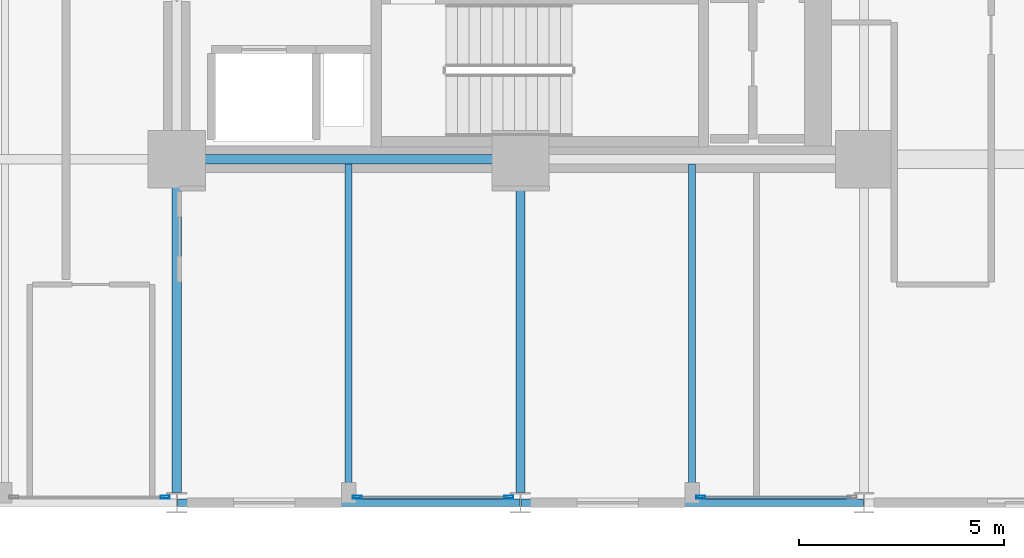
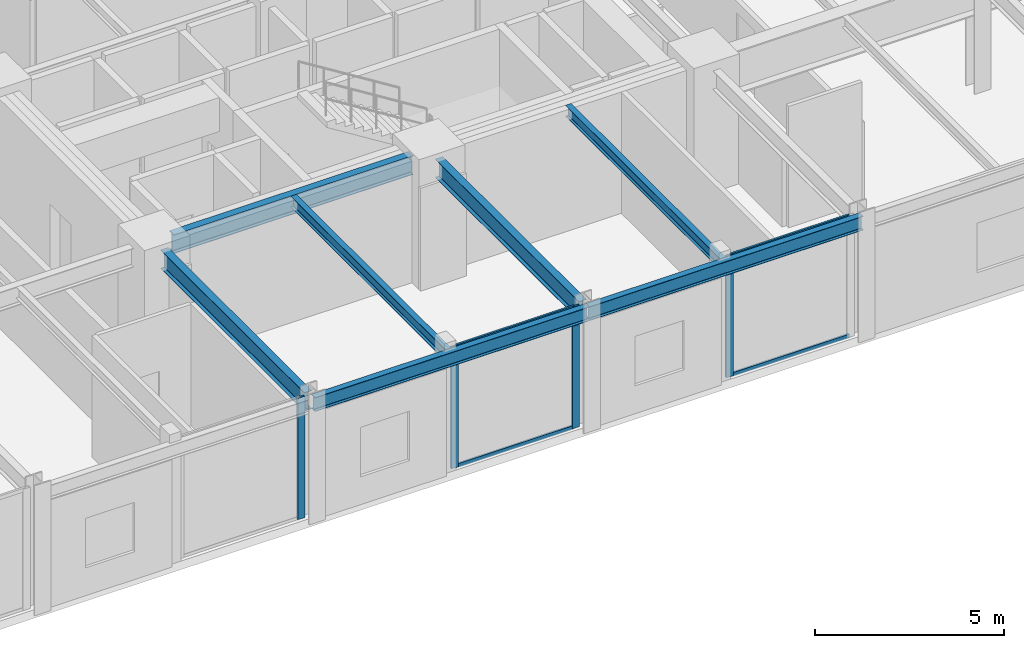
# One storey, part 4 of 25: 8 members, 7 beams, 3 elements without a shape of their own.
"""IFC4 building model written with IfcOpenShell, lengths in metres."""

from ifc_helpers import new_model, si_unit, direction, frame, origin, origin_2d, place, context, subcontext, project, spatial, hollow_rectangle, i_section, extrude, material, layer, layer_set, material_profile, profile_set, type_object, element, aggregate, save


model = new_model("IFC4")

# Units and contexts
model_context = context("Model", 3, precision=1e-05, world=origin(), true_north=direction((0.0, 1.0)))
body_context = subcontext(model_context, "Body", "Model", "MODEL_VIEW")
ifc_project = project(units=[si_unit("LENGTHUNIT", "METRE"), si_unit("AREAUNIT", "SQUARE_METRE"), si_unit("VOLUMEUNIT", "CUBIC_METRE"), si_unit("PLANEANGLEUNIT", "RADIAN"), si_unit("MASSUNIT", "GRAM", prefix="KILO")], contexts=[model_context])

# Site, building, storey
site_placement = place(None, origin())
site = spatial("IfcSite", under=ifc_project, at=site_placement, CompositionType="ELEMENT")
building_placement = place(site_placement, origin())
building = spatial("IfcBuilding", under=site, at=building_placement, Name="Nerrivon Quay Data Exchange", CompositionType="ELEMENT")
storey_placement = place(building_placement, frame((0.0, 0.0, 58.39990234375)))
storey = spatial("IfcBuildingStorey", under=building, at=storey_placement, Name="L13", CompositionType="ELEMENT", Elevation=58.39990234375)

# Beams
ifc_material_1 = material(Name="Steel Grade 350", Category="steel")
ifc_material_profile_1 = material_profile(ifc_material_1, i_section(OverallWidth=0.22900390625, OverallDepth=0.612060546875, WebThickness=0.011962890625, FlangeThickness=0.01953125, FilletRadius=0.013916015625, at=origin_2d()), Name="610UB125")
ifc_profile_set_1 = profile_set([ifc_material_profile_1], Name="Steel Grade 350")
beam_type_1 = type_object("IfcBeamType", Name="BM-G1-610UB125", PredefinedType="BEAM", material=ifc_profile_set_1)
beam_1_placement = place(storey_placement, frame((17.340087890625, 8.39990234375, 3.619140625), z_axis=(1.0, 0.0, 0.0), x_axis=(0.0, 1.0, 0.0)))
element("IfcBeam", 1, at=beam_1_placement, inside=storey, type_object=beam_type_1, Name="L13 EW Girder Y=8.4 (16.8..25.2)", PredefinedType="BEAM", context=body_context, shape_type="SweptSolid", body=[
    extrude(i_section(OverallWidth=0.22900390625, OverallDepth=0.612060546875, WebThickness=0.011962890625, FlangeThickness=0.01953125, FilletRadius=0.013916015625, at=origin_2d()), origin(), (0.0, 0.0, 1.0), 7.31982421875),
])
ifc_material_profile_2 = material_profile(ifc_material_1, i_section(OverallWidth=0.22802734375, OverallDepth=0.60205078125, WebThickness=0.010498046875, FlangeThickness=0.014892578125, FilletRadius=0.013916015625, at=origin_2d()), Name="610UB101")
ifc_profile_set_2 = profile_set([ifc_material_profile_2], Name="Steel Grade 350")
beam_type_2 = type_object("IfcBeamType", Name="BM-G2-610UB101", PredefinedType="BEAM", material=ifc_profile_set_2)
for number, where, z_axis, x_axis, name in (
    (2, (16.800048828125, 0.25, 3.6240234375), (0.0, 1.0, 0.0), (-1.0, 0.0, 0.0), "L13 NS Girder X=16.8 (0.0..8.4)"),
    (3, (25.199951171875, 0.25, 3.6240234375), (0.0, 1.0, 0.0), (-1.0, 0.0, 0.0), "L13 NS Girder X=25.2 (0.0..8.4)"),
):
    element("IfcBeam", number, at=place(storey_placement, frame(where, z_axis=z_axis, x_axis=x_axis)), inside=storey, type_object=beam_type_2, Name=name, PredefinedType="BEAM", context=body_context, shape_type="SweptSolid", body=[
        extrude(i_section(OverallWidth=0.22802734375, OverallDepth=0.60205078125, WebThickness=0.010498046875, FlangeThickness=0.014892578125, FilletRadius=0.013916015625, at=origin_2d()), origin(), (0.0, 0.0, 1.0), 7.610107421875),
    ])
ifc_material_profile_3 = material_profile(ifc_material_1, i_section(OverallWidth=0.172119140625, OverallDepth=0.35888671875, WebThickness=0.008056640625, FlangeThickness=0.012939453125, FilletRadius=0.011474609375, at=origin_2d()), Name="360UB56.7")
ifc_profile_set_3 = profile_set([ifc_material_profile_3], Name="Steel Grade 350")
beam_type_3 = type_object("IfcBeamType", Name="BM-J3-360UB57", PredefinedType="JOIST", material=ifc_profile_set_3)
for number, where, z_axis, x_axis, name in (
    (4, (21.0, 0.094970703125, 3.74560546875), (0.0, 1.0, 0.0), (-1.0, 0.0, 0.0), "L13 Secondary Joist X=21.0 (0.0..8.4)"),
    (5, (29.39990234375, 0.094970703125, 3.74560546875), (0.0, 1.0, 0.0), (-1.0, 0.0, 0.0), "L13 Secondary Joist X=29.4 (0.0..8.4)"),
):
    element("IfcBeam", number, at=place(storey_placement, frame(where, z_axis=z_axis, x_axis=x_axis)), inside=storey, type_object=beam_type_3, Name=name, PredefinedType="JOIST", context=body_context, shape_type="SweptSolid", body=[
        extrude(i_section(OverallWidth=0.172119140625, OverallDepth=0.35888671875, WebThickness=0.008056640625, FlangeThickness=0.012939453125, FilletRadius=0.011474609375, at=origin_2d()), origin(), (0.0, 0.0, 1.0), 8.1904296875),
    ])
ifc_material_profile_4 = material_profile(ifc_material_1, i_section(OverallWidth=0.18994140625, OverallDepth=0.4541015625, WebThickness=0.008544921875, FlangeThickness=0.0126953125, FilletRadius=0.011474609375, at=origin_2d()), Name="460UB67.1")
ifc_profile_set_4 = profile_set([ifc_material_profile_4], Name="Steel Grade 350")
beam_type_4 = type_object("IfcBeamType", Name="BM-SP1-460UB67", PredefinedType="SPANDREL", material=ifc_profile_set_4)
beam_2_placement = place(storey_placement, frame((16.81396484375, 0.0, 3.697998046875), z_axis=(1.0, 0.0, 0.0), x_axis=(0.0, 1.0, 0.0)))
element("IfcBeam", 6, at=beam_2_placement, inside=storey, type_object=beam_type_4, Name="L13 EW Girder Y=0.0 (16.8..25.2)", PredefinedType="SPANDREL", context=body_context, shape_type="SweptSolid", body=[
    extrude(i_section(OverallWidth=0.18994140625, OverallDepth=0.4541015625, WebThickness=0.008544921875, FlangeThickness=0.0126953125, FilletRadius=0.011474609375, at=origin_2d()), origin(), (0.0, 0.0, 1.0), 8.3720703125),
])
beam_3_placement = place(storey_placement, frame((25.214111328125, 0.0, 3.697998046875), z_axis=(1.0, 0.0, 0.0), x_axis=(0.0, 1.0, 0.0)))
element("IfcBeam", 7, at=beam_3_placement, inside=storey, type_object=beam_type_4, Name="L13 EW Girder Y=0.0 (25.2..33.6)", PredefinedType="SPANDREL", context=body_context, shape_type="SweptSolid", body=[
    extrude(i_section(OverallWidth=0.18994140625, OverallDepth=0.4541015625, WebThickness=0.008544921875, FlangeThickness=0.0126953125, FilletRadius=0.011474609375, at=origin_2d()), origin(), (0.0, 0.0, 1.0), 8.371826171875),
])

# Curtain wall, member
ifc_material_2 = material(Name="Anodised aluminium 6063-T6", Category="aluminium")
ifc_layer = layer(ifc_material_2, 0.219970703125)
ifc_layer_set = layer_set([ifc_layer], Name="Anodised aluminium 6063-T6")
curtain_wall_type = type_object("IfcCurtainWallType", Name="CW-SYS-01", PredefinedType="NOTDEFINED", material=ifc_layer_set)
curtain_wall_1_placement = place(storey_placement, origin())
curtain_wall_1 = element("IfcCurtainWall", 8, at=curtain_wall_1_placement, inside=storey, type_object=curtain_wall_type, Name="L13 Unitised Curtain Wall 4", PredefinedType="NOTDEFINED")
ifc_material_profile_5 = material_profile(ifc_material_2, hollow_rectangle(XDim=0.074951171875, YDim=0.219970703125, WallThickness=0.00390625, at=origin_2d()), Name="ALU-MULL-220x75")
ifc_profile_set_5 = profile_set([ifc_material_profile_5], Name="Anodised aluminium 6063-T6")
member_type_1 = type_object("IfcMemberType", Name="CWM-220x75", PredefinedType="MULLION", material=ifc_profile_set_5)
member_1_placement = place(storey_placement, frame((29.612548828125, 0.139892578125, 0.0), z_axis=(0.0, 0.0, 1.0), x_axis=(0.0, -1.0, 0.0)))
member_1 = element("IfcMember", 9, at=member_1_placement, type_object=member_type_1, Name="CW01 mullion 2", PredefinedType="MULLION", context=body_context, shape_type="SweptSolid", body=[
    extrude(hollow_rectangle(XDim=0.074951171875, YDim=0.219970703125, WallThickness=0.00390625, at=origin_2d()), origin(), (0.0, 0.0, 1.0), 3.925048828125),
])

# Curtain wall, members
curtain_wall_2_placement = place(storey_placement, origin())
curtain_wall_2 = element("IfcCurtainWall", 10, at=curtain_wall_2_placement, inside=storey, type_object=curtain_wall_type, Name="L13 Unitised Curtain Wall 6", PredefinedType="NOTDEFINED")
member_2_placement = place(storey_placement, frame((24.91259765625, 0.139892578125, 0.0), z_axis=(0.0, 0.0, 1.0), x_axis=(0.0, -1.0, 0.0)))
member_2 = element("IfcMember", 11, at=member_2_placement, type_object=member_type_1, Name="CW01 mullion 1", PredefinedType="MULLION", context=body_context, shape_type="SweptSolid", body=[
    extrude(hollow_rectangle(XDim=0.074951171875, YDim=0.219970703125, WallThickness=0.00390625, at=origin_2d()), origin(), (0.0, 0.0, 1.0), 3.925048828125),
])
member_3_placement = place(storey_placement, frame((21.21240234375, 0.139892578125, 0.0), z_axis=(0.0, 0.0, 1.0), x_axis=(0.0, -1.0, 0.0)))
member_3 = element("IfcMember", 12, at=member_3_placement, type_object=member_type_1, Name="CW01 mullion 2", PredefinedType="MULLION", context=body_context, shape_type="SweptSolid", body=[
    extrude(hollow_rectangle(XDim=0.074951171875, YDim=0.219970703125, WallThickness=0.00390625, at=origin_2d()), origin(), (0.0, 0.0, 1.0), 3.925048828125),
])

# Curtain wall, member
curtain_wall_3_placement = place(storey_placement, origin())
curtain_wall_3 = element("IfcCurtainWall", 13, at=curtain_wall_3_placement, inside=storey, type_object=curtain_wall_type, Name="L13 Unitised Curtain Wall 8", PredefinedType="NOTDEFINED")
member_4_placement = place(storey_placement, frame((16.512451171875, 0.139892578125, 0.0), z_axis=(0.0, 0.0, 1.0), x_axis=(0.0, -1.0, 0.0)))
member_4 = element("IfcMember", 14, at=member_4_placement, type_object=member_type_1, Name="CW01 mullion 1", PredefinedType="MULLION", context=body_context, shape_type="SweptSolid", body=[
    extrude(hollow_rectangle(XDim=0.074951171875, YDim=0.219970703125, WallThickness=0.00390625, at=origin_2d()), origin(), (0.0, 0.0, 1.0), 3.925048828125),
])
aggregate(curtain_wall_3, [member_4])

# Member
ifc_material_profile_6 = material_profile(ifc_material_2, hollow_rectangle(XDim=0.06005859375, YDim=0.1201171875, WallThickness=0.003173828125, at=origin_2d()), Name="ALU-TRAN-120x60")
ifc_profile_set_6 = profile_set([ifc_material_profile_6], Name="Anodised aluminium 6063-T6")
member_type_2 = type_object("IfcMemberType", Name="CWT-120x60", PredefinedType="USERDEFINED", material=ifc_profile_set_6)
member_5_placement = place(storey_placement, frame((33.27490234375, 0.139892578125, 0.03271484375), z_axis=(-1.0, 0.0, 0.0), x_axis=(0.0, -1.0, 0.0)))
member_5 = element("IfcMember", 15, at=member_5_placement, type_object=member_type_2, Name="CW01 transom 1.1", ObjectType="TRANSOM", PredefinedType="USERDEFINED", context=body_context, shape_type="SweptSolid", body=[
    extrude(hollow_rectangle(XDim=0.06005859375, YDim=0.1201171875, WallThickness=0.003173828125, at=origin_2d()), origin(), (0.0, 0.0, 1.0), 3.625),
])

member_6_placement = place(storey_placement, frame((33.27490234375, 0.139892578125, 3.892578125), z_axis=(-1.0, 0.0, 0.0), x_axis=(0.0, -1.0, 0.0)))
member_6 = element("IfcMember", 16, at=member_6_placement, type_object=member_type_2, Name="CW01 transom 1.2", ObjectType="TRANSOM", PredefinedType="USERDEFINED", context=body_context, shape_type="SweptSolid", body=[
    extrude(hollow_rectangle(XDim=0.06005859375, YDim=0.1201171875, WallThickness=0.003173828125, at=origin_2d()), origin(), (0.0, 0.0, 1.0), 3.625),
])

aggregate(curtain_wall_1, [member_1, member_5, member_6])

member_7_placement = place(storey_placement, frame((24.875, 0.139892578125, 0.03271484375), z_axis=(-1.0, 0.0, 0.0), x_axis=(0.0, -1.0, 0.0)))
member_7 = element("IfcMember", 17, at=member_7_placement, type_object=member_type_2, Name="CW01 transom 1.1", ObjectType="TRANSOM", PredefinedType="USERDEFINED", context=body_context, shape_type="SweptSolid", body=[
    extrude(hollow_rectangle(XDim=0.06005859375, YDim=0.1201171875, WallThickness=0.003173828125, at=origin_2d()), origin(), (0.0, 0.0, 1.0), 3.625),
])

member_8_placement = place(storey_placement, frame((24.875, 0.139892578125, 3.892578125), z_axis=(-1.0, 0.0, 0.0), x_axis=(0.0, -1.0, 0.0)))
member_8 = element("IfcMember", 18, at=member_8_placement, type_object=member_type_2, Name="CW01 transom 1.2", ObjectType="TRANSOM", PredefinedType="USERDEFINED", context=body_context, shape_type="SweptSolid", body=[
    extrude(hollow_rectangle(XDim=0.06005859375, YDim=0.1201171875, WallThickness=0.003173828125, at=origin_2d()), origin(), (0.0, 0.0, 1.0), 3.625),
])

aggregate(curtain_wall_2, [member_2, member_3, member_7, member_8])

save(model, "model.ifc")
